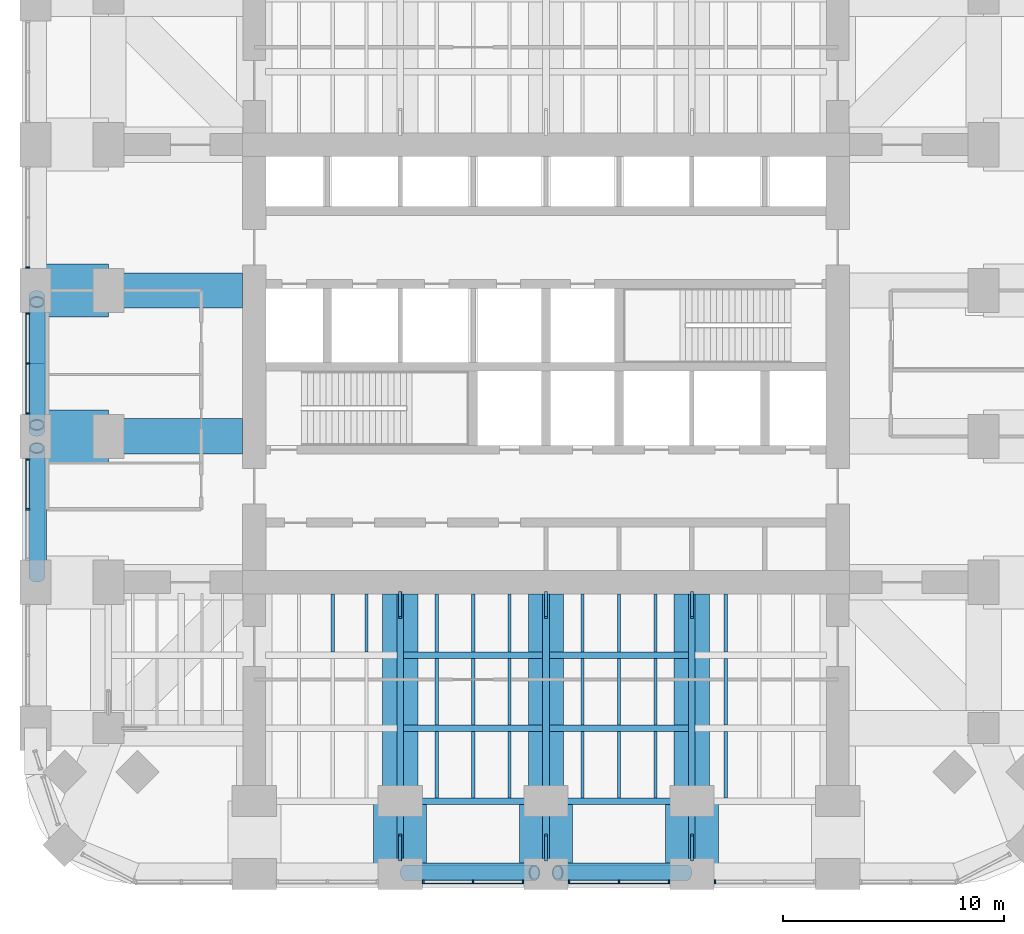
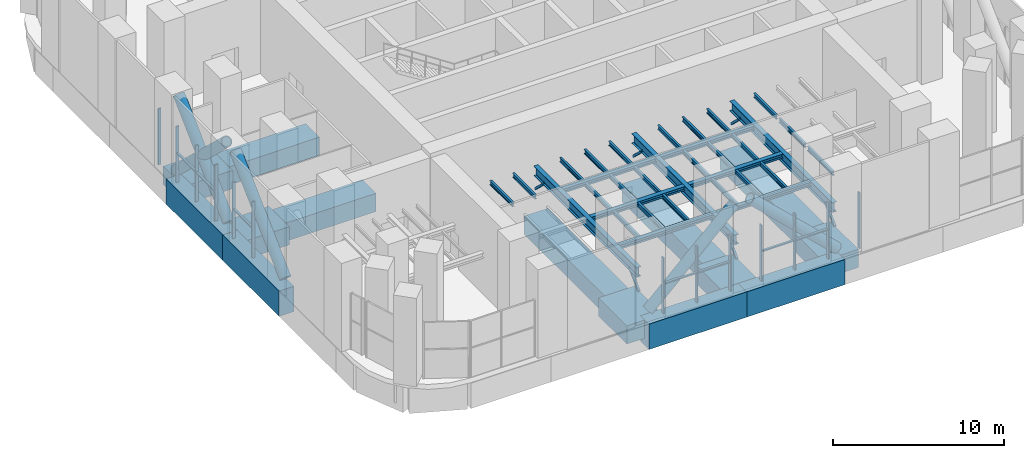
# One storey, part 3 of 16: 46 beams, 31 members, 6 elements without a shape of their own.
"""IFC4 building model written with IfcOpenShell, lengths in metres."""

from ifc_helpers import new_model, si_unit, direction, frame, origin, origin_2d, place, context, subcontext, project, spatial, rectangle, hollow_rectangle, hollow_circle, i_section, extrude, material, material_profile, profile_set, type_object, element, aggregate, save


model = new_model("IFC4")

# Units and contexts
model_context = context("Model", 3, precision=1e-05, world=origin(), true_north=direction((0.0, 1.0)))
body_context = subcontext(model_context, "Body", "Model", "MODEL_VIEW")
ifc_project = project(units=[si_unit("LENGTHUNIT", "METRE"), si_unit("AREAUNIT", "SQUARE_METRE"), si_unit("VOLUMEUNIT", "CUBIC_METRE"), si_unit("PLANEANGLEUNIT", "RADIAN"), si_unit("MASSUNIT", "GRAM", prefix="KILO")], contexts=[model_context])

# Site, building, storey
site_placement = place(None, origin())
site = spatial("IfcSite", under=ifc_project, at=site_placement, CompositionType="ELEMENT")
building_placement = place(site_placement, origin())
building = spatial("IfcBuilding", under=site, at=building_placement, Name="Cobogo Forest Laboratory Tower", CompositionType="ELEMENT")
storey_placement = place(building_placement, frame((0.0, 0.0, 149.39990234375)))
storey = spatial("IfcBuildingStorey", under=building, at=storey_placement, Name="L34", CompositionType="ELEMENT", Elevation=149.39990234375)

# Members
ifc_material_1 = material(Name="Steel S460NH", Category="steel")
ifc_material_profile_1 = material_profile(ifc_material_1, hollow_circle(Radius=0.35546875, WallThickness=0.06005859375, at=origin_2d()), Name="CHS 711x60")
ifc_profile_set_1 = profile_set([ifc_material_profile_1], Name="Steel S460NH")
member_type_1 = type_object("IfcMemberType", Name="Belt truss diagonal CHS 711x60", PredefinedType="BRACE", material=ifc_profile_set_1)
for number, where, z_axis, x_axis, name in (
    (1, (20.050048828125, 0.06005859375, 0.23876953125), (0.723349354665, 0.0, 0.69048223084), (0.0, 1.0, 0.0), "BT1 belt truss diagonal S02 L34"),
    (2, (32.75, 0.06005859375, 0.23876953125), (-0.723363796511, 0.0, 0.690467101242), (0.0, -1.0, 0.0), "BT1 belt truss diagonal S03 L34"),
    (3, (3.360107421875, 13.449951171875, 0.23876953125), (0.0, 0.723363796511, 0.690467101242), (-1.0, 0.0, 0.0), "BT1 belt truss diagonal W16 L34"),
    (4, (3.360107421875, 20.050048828125, 0.23876953125), (0.0, 0.723349354665, 0.69048223084), (-1.0, 0.0, 0.0), "BT1 belt truss diagonal W17 L34"),
    (5, (3.360107421875, 26.14990234375, 0.23876953125), (0.0, -0.723349354665, 0.69048223084), (1.0, 0.0, 0.0), "BT1 belt truss diagonal W18 L34"),
):
    element("IfcMember", number, at=place(storey_placement, frame(where, z_axis=z_axis, x_axis=x_axis)), inside=storey, type_object=member_type_1, Name=name, PredefinedType="BRACE", context=body_context, shape_type="SweptSolid", body=[
        extrude(hollow_circle(Radius=0.35546875, WallThickness=0.06005859375, at=origin_2d()), origin(), (0.0, 0.0, 1.0), 8.0595703125),
    ])

# Curtain wall, members
ifc_material_2 = material(Name="Aluminium curtain wall", Category="aluminium")
curtain_wall_type = type_object("IfcCurtainWallType", Name="CW-P louvred curtain wall, plant floors", PredefinedType="USERDEFINED", material=ifc_material_2)
curtain_wall_1_placement = place(storey_placement, origin())
curtain_wall_1 = element("IfcCurtainWall", 6, at=curtain_wall_1_placement, inside=storey, type_object=curtain_wall_type, Name="Curtain wall 03 L34", ObjectType="LOUVRED CURTAIN WALL", PredefinedType="USERDEFINED")
ifc_material_3 = material(Name="Aluminium mullion", Category="aluminium")
ifc_material_profile_2 = material_profile(ifc_material_3, rectangle(XDim=0.080078125, YDim=0.199951171875, at=origin_2d()), Name="AL 80x200")
ifc_profile_set_2 = profile_set([ifc_material_profile_2], Name="Aluminium mullion")
member_type_2 = type_object("IfcMemberType", Name="MU-3 aluminium louvre mullion 80x200", PredefinedType="MULLION", material=ifc_profile_set_2)
member_1_placement = place(storey_placement, frame((20.840087890625, -0.35009765625, 0.0), z_axis=(0.0, 0.0, 1.0), x_axis=(1.0, 0.0, 0.0)))
member_1 = element("IfcMember", 7, at=member_1_placement, type_object=member_type_2, Name="CW-P mullion 1", PredefinedType="MULLION", context=body_context, shape_type="SweptSolid", body=[
    extrude(rectangle(XDim=0.080078125, YDim=0.199951171875, at=origin_2d()), origin(), (0.0, 0.0, 1.0), 4.0),
])
member_2_placement = place(storey_placement, frame((23.10009765625, -0.35009765625, 0.0), z_axis=(0.0, 0.0, 1.0), x_axis=(1.0, 0.0, 0.0)))
member_2 = element("IfcMember", 8, at=member_2_placement, type_object=member_type_2, Name="CW-P mullion 2", PredefinedType="MULLION", context=body_context, shape_type="SweptSolid", body=[
    extrude(rectangle(XDim=0.080078125, YDim=0.199951171875, at=origin_2d()), origin(), (0.0, 0.0, 1.0), 4.0),
])
member_3_placement = place(storey_placement, frame((25.360107421875, -0.35009765625, 0.0), z_axis=(0.0, 0.0, 1.0), x_axis=(1.0, 0.0, 0.0)))
member_3 = element("IfcMember", 9, at=member_3_placement, type_object=member_type_2, Name="CW-P mullion 3", PredefinedType="MULLION", context=body_context, shape_type="SweptSolid", body=[
    extrude(rectangle(XDim=0.080078125, YDim=0.199951171875, at=origin_2d()), origin(), (0.0, 0.0, 1.0), 4.0),
])

curtain_wall_2_placement = place(storey_placement, origin())
curtain_wall_2 = element("IfcCurtainWall", 10, at=curtain_wall_2_placement, inside=storey, type_object=curtain_wall_type, Name="Curtain wall 04 L34", ObjectType="LOUVRED CURTAIN WALL", PredefinedType="USERDEFINED")
member_4_placement = place(storey_placement, frame((27.43994140625, -0.35009765625, 0.0), z_axis=(0.0, 0.0, 1.0), x_axis=(1.0, 0.0, 0.0)))
member_4 = element("IfcMember", 11, at=member_4_placement, type_object=member_type_2, Name="CW-P mullion 1", PredefinedType="MULLION", context=body_context, shape_type="SweptSolid", body=[
    extrude(rectangle(XDim=0.080078125, YDim=0.199951171875, at=origin_2d()), origin(), (0.0, 0.0, 1.0), 4.0),
])
member_5_placement = place(storey_placement, frame((29.699951171875, -0.35009765625, 0.0), z_axis=(0.0, 0.0, 1.0), x_axis=(1.0, 0.0, 0.0)))
member_5 = element("IfcMember", 12, at=member_5_placement, type_object=member_type_2, Name="CW-P mullion 2", PredefinedType="MULLION", context=body_context, shape_type="SweptSolid", body=[
    extrude(rectangle(XDim=0.080078125, YDim=0.199951171875, at=origin_2d()), origin(), (0.0, 0.0, 1.0), 4.0),
])
member_6_placement = place(storey_placement, frame((31.9599609375, -0.35009765625, 0.0), z_axis=(0.0, 0.0, 1.0), x_axis=(1.0, 0.0, 0.0)))
member_6 = element("IfcMember", 13, at=member_6_placement, type_object=member_type_2, Name="CW-P mullion 3", PredefinedType="MULLION", context=body_context, shape_type="SweptSolid", body=[
    extrude(rectangle(XDim=0.080078125, YDim=0.199951171875, at=origin_2d()), origin(), (0.0, 0.0, 1.0), 4.0),
])

# Curtain wall, member
curtain_wall_3_placement = place(storey_placement, origin())
curtain_wall_3 = element("IfcCurtainWall", 14, at=curtain_wall_3_placement, inside=storey, type_object=curtain_wall_type, Name="Curtain wall 05 L34", ObjectType="LOUVRED CURTAIN WALL", PredefinedType="USERDEFINED")
member_7_placement = place(storey_placement, frame((34.0400390625, -0.35009765625, 0.0), z_axis=(0.0, 0.0, 1.0), x_axis=(1.0, 0.0, 0.0)))
member_7 = element("IfcMember", 15, at=member_7_placement, type_object=member_type_2, Name="CW-P mullion 1", PredefinedType="MULLION", context=body_context, shape_type="SweptSolid", body=[
    extrude(rectangle(XDim=0.080078125, YDim=0.199951171875, at=origin_2d()), origin(), (0.0, 0.0, 1.0), 4.0),
])
aggregate(curtain_wall_3, [member_7])

curtain_wall_4_placement = place(storey_placement, origin())
curtain_wall_4 = element("IfcCurtainWall", 16, at=curtain_wall_4_placement, inside=storey, type_object=curtain_wall_type, Name="Curtain wall 28 L34", ObjectType="LOUVRED CURTAIN WALL", PredefinedType="USERDEFINED")
member_8_placement = place(storey_placement, frame((2.949951171875, 27.43994140625, 0.0), z_axis=(0.0, 0.0, 1.0), x_axis=(0.0, -1.0, 0.0)))
member_8 = element("IfcMember", 17, at=member_8_placement, type_object=member_type_2, Name="CW-P mullion 3", PredefinedType="MULLION", context=body_context, shape_type="SweptSolid", body=[
    extrude(rectangle(XDim=0.080078125, YDim=0.199951171875, at=origin_2d()), origin(), (0.0, 0.0, 1.0), 4.0),
])
aggregate(curtain_wall_4, [member_8])

# Curtain wall, members
curtain_wall_5_placement = place(storey_placement, origin())
curtain_wall_5 = element("IfcCurtainWall", 18, at=curtain_wall_5_placement, inside=storey, type_object=curtain_wall_type, Name="Curtain wall 29 L34", ObjectType="LOUVRED CURTAIN WALL", PredefinedType="USERDEFINED")
member_9_placement = place(storey_placement, frame((2.949951171875, 25.360107421875, 0.0), z_axis=(0.0, 0.0, 1.0), x_axis=(0.0, -1.0, 0.0)))
member_9 = element("IfcMember", 19, at=member_9_placement, type_object=member_type_2, Name="CW-P mullion 1", PredefinedType="MULLION", context=body_context, shape_type="SweptSolid", body=[
    extrude(rectangle(XDim=0.080078125, YDim=0.199951171875, at=origin_2d()), origin(), (0.0, 0.0, 1.0), 4.0),
])
member_10_placement = place(storey_placement, frame((2.949951171875, 23.10009765625, 0.0), z_axis=(0.0, 0.0, 1.0), x_axis=(0.0, -1.0, 0.0)))
member_10 = element("IfcMember", 20, at=member_10_placement, type_object=member_type_2, Name="CW-P mullion 2", PredefinedType="MULLION", context=body_context, shape_type="SweptSolid", body=[
    extrude(rectangle(XDim=0.080078125, YDim=0.199951171875, at=origin_2d()), origin(), (0.0, 0.0, 1.0), 4.0),
])
member_11_placement = place(storey_placement, frame((2.949951171875, 20.840087890625, 0.0), z_axis=(0.0, 0.0, 1.0), x_axis=(0.0, -1.0, 0.0)))
member_11 = element("IfcMember", 21, at=member_11_placement, type_object=member_type_2, Name="CW-P mullion 3", PredefinedType="MULLION", context=body_context, shape_type="SweptSolid", body=[
    extrude(rectangle(XDim=0.080078125, YDim=0.199951171875, at=origin_2d()), origin(), (0.0, 0.0, 1.0), 4.0),
])

curtain_wall_6_placement = place(storey_placement, origin())
curtain_wall_6 = element("IfcCurtainWall", 22, at=curtain_wall_6_placement, inside=storey, type_object=curtain_wall_type, Name="Curtain wall 30 L34", ObjectType="LOUVRED CURTAIN WALL", PredefinedType="USERDEFINED")
member_12_placement = place(storey_placement, frame((2.949951171875, 18.760009765625, 0.0), z_axis=(0.0, 0.0, 1.0), x_axis=(0.0, -1.0, 0.0)))
member_12 = element("IfcMember", 23, at=member_12_placement, type_object=member_type_2, Name="CW-P mullion 1", PredefinedType="MULLION", context=body_context, shape_type="SweptSolid", body=[
    extrude(rectangle(XDim=0.080078125, YDim=0.199951171875, at=origin_2d()), origin(), (0.0, 0.0, 1.0), 4.0),
])
member_13_placement = place(storey_placement, frame((2.949951171875, 16.5, 0.0), z_axis=(0.0, 0.0, 1.0), x_axis=(0.0, -1.0, 0.0)))
member_13 = element("IfcMember", 24, at=member_13_placement, type_object=member_type_2, Name="CW-P mullion 2", PredefinedType="MULLION", context=body_context, shape_type="SweptSolid", body=[
    extrude(rectangle(XDim=0.080078125, YDim=0.199951171875, at=origin_2d()), origin(), (0.0, 0.0, 1.0), 4.0),
])

# Beams
ifc_material_4 = material(Name="Concrete HA-40 (C40/50)", Category="concrete")
ifc_material_profile_3 = material_profile(ifc_material_4, rectangle(XDim=1.60009765625, YDim=1.300048828125, at=origin_2d()), Name="RC 1600x1300")
ifc_profile_set_3 = profile_set([ifc_material_profile_3], Name="Concrete HA-40 (C40/50)")
beam_type_1 = type_object("IfcBeamType", Name="Plant and roof garden wide beam 1600x1300", PredefinedType="BEAM", material=ifc_profile_set_3)
for number, where, z_axis, x_axis, name in (
    (25, (19.800048828125, 12.675048828125, -1.0), (0.0, -1.0, 0.0), (1.0, 0.0, 0.0), "RB4 R-4-S L34"),
    (26, (26.39990234375, 12.675048828125, -1.0), (0.0, -1.0, 0.0), (1.0, 0.0, 0.0), "RB4 R-5-S L34"),
    (27, (33.0, 12.675048828125, -1.0), (0.0, -1.0, 0.0), (1.0, 0.0, 0.0), "RB4 R-6-S L34"),
):
    element("IfcBeam", number, at=place(storey_placement, frame(where, z_axis=z_axis, x_axis=x_axis)), inside=storey, type_object=beam_type_1, Name=name, PredefinedType="BEAM", context=body_context, shape_type="SweptSolid", body=[
        extrude(rectangle(XDim=1.60009765625, YDim=1.300048828125, at=origin_2d()), origin(), (0.0, 0.0, 1.0), 9.375),
    ])
for number, where, z_axis, x_axis, name in (
    (28, (12.675048828125, 19.800048828125, -1.0), (-1.0, 0.0, 0.0), (0.0, -1.0, 0.0), "RB4 R-D-W L34"),
    (29, (12.675048828125, 26.39990234375, -1.0), (-1.0, 0.0, 0.0), (0.0, -1.0, 0.0), "RB4 R-E-W L34"),
):
    element("IfcBeam", number, at=place(storey_placement, frame(where, z_axis=z_axis, x_axis=x_axis)), inside=storey, type_object=beam_type_1, Name=name, PredefinedType="BEAM", context=body_context, shape_type="SweptSolid", body=[
        extrude(rectangle(XDim=1.60009765625, YDim=1.300048828125, at=origin_2d()), origin(), (0.0, 0.0, 1.0), 6.074951171875),
    ])
ifc_material_5 = material(Name="Concrete HA-50 (C50/60)", Category="concrete")
ifc_material_profile_4 = material_profile(ifc_material_5, rectangle(XDim=2.39990234375, YDim=1.300048828125, at=origin_2d()), Name="RC 2400x1300")
ifc_profile_set_4 = profile_set([ifc_material_profile_4], Name="Concrete HA-50 (C50/60)")
beam_type_2 = type_object("IfcBeamType", Name="Plant floor end-bay beam 2400x1300", PredefinedType="BEAM", material=ifc_profile_set_4)
for number, where, z_axis, x_axis, name in (
    (30, (19.800048828125, 0.0, -1.0), (0.0, 1.0, 0.0), (-1.0, 0.0, 0.0), "RB6 R-4-S-X L34"),
    (31, (26.39990234375, 0.0, -1.0), (0.0, 1.0, 0.0), (-1.0, 0.0, 0.0), "RB6 R-5-S-X L34"),
    (32, (33.0, 0.0, -1.0), (0.0, 1.0, 0.0), (-1.0, 0.0, 0.0), "RB6 R-6-S-X L34"),
    (33, (3.300048828125, 19.800048828125, -1.0), (1.0, 0.0, 0.0), (0.0, 1.0, 0.0), "RB6 R-D-W-X L34"),
    (34, (3.300048828125, 26.39990234375, -1.0), (1.0, 0.0, 0.0), (0.0, 1.0, 0.0), "RB6 R-E-W-X L34"),
):
    element("IfcBeam", number, at=place(storey_placement, frame(where, z_axis=z_axis, x_axis=x_axis)), inside=storey, type_object=beam_type_2, Name=name, PredefinedType="BEAM", context=body_context, shape_type="SweptSolid", body=[
        extrude(rectangle(XDim=2.39990234375, YDim=1.300048828125, at=origin_2d()), origin(), (0.0, 0.0, 1.0), 3.300048828125),
    ])
ifc_material_profile_5 = material_profile(ifc_material_4, rectangle(XDim=1.0, YDim=1.800048828125, at=origin_2d()), Name="RC 1000x1800")
ifc_profile_set_5 = profile_set([ifc_material_profile_5], Name="Concrete HA-40 (C40/50)")
beam_type_3 = type_object("IfcBeamType", Name="Plant floor perimeter girder 1000x1800", PredefinedType="BEAM", material=ifc_profile_set_5)
beam_1_placement = place(storey_placement, frame((19.800048828125, 0.0, -1.25), z_axis=(1.0, 0.0, 0.0), x_axis=(0.0, 1.0, 0.0)))
element("IfcBeam", 35, at=beam_1_placement, inside=storey, type_object=beam_type_3, Name="TG1 E-S2 L34", PredefinedType="BEAM", context=body_context, shape_type="SweptSolid", body=[
    extrude(rectangle(XDim=1.0, YDim=1.800048828125, at=origin_2d()), origin(), (0.0, 0.0, 1.0), 6.599853515625),
])
for number, where, z_axis, x_axis, name in (
    (36, (26.39990234375, 0.0, -1.25), (1.0, 0.0, 0.0), (0.0, 1.0, 0.0), "TG1 E-S3 L34"),
    (37, (3.300048828125, 13.199951171875, -1.25), (0.0, 1.0, 0.0), (-1.0, 0.0, 0.0), "TG1 E-W2 L34"),
):
    element("IfcBeam", number, at=place(storey_placement, frame(where, z_axis=z_axis, x_axis=x_axis)), inside=storey, type_object=beam_type_3, Name=name, PredefinedType="BEAM", context=body_context, shape_type="SweptSolid", body=[
        extrude(rectangle(XDim=1.0, YDim=1.800048828125, at=origin_2d()), origin(), (0.0, 0.0, 1.0), 6.60009765625),
    ])
beam_2_placement = place(storey_placement, frame((3.300048828125, 19.800048828125, -1.25), z_axis=(0.0, 1.0, 0.0), x_axis=(-1.0, 0.0, 0.0)))
element("IfcBeam", 38, at=beam_2_placement, inside=storey, type_object=beam_type_3, Name="TG1 E-W3 L34", PredefinedType="BEAM", context=body_context, shape_type="SweptSolid", body=[
    extrude(rectangle(XDim=1.0, YDim=1.800048828125, at=origin_2d()), origin(), (0.0, 0.0, 1.0), 6.599853515625),
])

# Members
ifc_material_6 = material(Name="Steel S355", Category="steel")
ifc_material_profile_6 = material_profile(ifc_material_6, hollow_rectangle(XDim=0.14990234375, YDim=0.14990234375, WallThickness=0.008056640625, InnerFilletRadius=0.008056640625, OuterFilletRadius=0.011962890625, at=origin_2d()), Name="SHS 150x8")
ifc_profile_set_6 = profile_set([ifc_material_profile_6], Name="Steel S355")
member_type_3 = type_object("IfcMemberType", Name="Plant knee brace SHS 150x8", PredefinedType="BRACE", material=ifc_profile_set_6)
for number, where, z_axis, x_axis, name in (
    (39, (19.800048828125, 0.64697265625, 1.300048828125), (0.0, 0.725097922522, 0.688645774513), (-1.0, 0.0, 0.0), "PX2 AHU-S knee brace 4-1 L34"),
    (40, (19.800048828125, 12.72802734375, 1.300048828125), (0.0, -0.725097922522, 0.688645774513), (1.0, 0.0, 0.0), "PX2 AHU-S knee brace 4-2 L34"),
    (41, (26.39990234375, 0.64697265625, 1.300048828125), (0.0, 0.725097922522, 0.688645774513), (-1.0, 0.0, 0.0), "PX2 AHU-S knee brace 5-1 L34"),
    (42, (26.39990234375, 12.72802734375, 1.300048828125), (0.0, -0.725097922522, 0.688645774513), (1.0, 0.0, 0.0), "PX2 AHU-S knee brace 5-2 L34"),
    (43, (33.0, 0.64697265625, 1.300048828125), (0.0, 0.725097922522, 0.688645774513), (-1.0, 0.0, 0.0), "PX2 AHU-S knee brace 6-1 L34"),
    (44, (33.0, 12.72802734375, 1.300048828125), (0.0, -0.725097922522, 0.688645774513), (1.0, 0.0, 0.0), "PX2 AHU-S knee brace 6-2 L34"),
):
    element("IfcMember", number, at=place(storey_placement, frame(where, z_axis=z_axis, x_axis=x_axis)), inside=storey, type_object=member_type_3, Name=name, PredefinedType="BRACE", context=body_context, shape_type="SweptSolid", body=[
        extrude(hollow_rectangle(XDim=0.14990234375, YDim=0.14990234375, WallThickness=0.008056640625, InnerFilletRadius=0.008056640625, OuterFilletRadius=0.011962890625, at=origin_2d()), origin(), (0.0, 0.0, 1.0), 1.547119140625),
    ])

# Beams
ifc_material_profile_7 = material_profile(ifc_material_6, i_section(OverallWidth=0.300048828125, OverallDepth=0.300048828125, WebThickness=0.010986328125, FlangeThickness=0.01904296875, FilletRadius=0.027099609375, at=origin_2d()), Name="HEB 300")
ifc_profile_set_7 = profile_set([ifc_material_profile_7], Name="Steel S355")
beam_type_4 = type_object("IfcBeamType", Name="Plant platform beam HEB 300", PredefinedType="BEAM", material=ifc_profile_set_7)
for number, where, z_axis, x_axis, name in (
    (45, (19.949951171875, 3.300048828125, 2.85009765625), (1.0, 0.0, 0.0), (0.0, 1.0, 0.0), "PB2 AHU-S platform beam 2 at 3300 L34"),
    (46, (26.550048828125, 3.300048828125, 2.85009765625), (1.0, 0.0, 0.0), (0.0, 1.0, 0.0), "PB2 AHU-S platform beam 3 at 3300 L34"),
    (47, (19.949951171875, 6.60009765625, 2.85009765625), (1.0, 0.0, 0.0), (0.0, 1.0, 0.0), "PB2 AHU-S platform beam 2 at 6600 L34"),
    (48, (26.550048828125, 6.60009765625, 2.85009765625), (1.0, 0.0, 0.0), (0.0, 1.0, 0.0), "PB2 AHU-S platform beam 3 at 6600 L34"),
    (49, (19.949951171875, 9.89990234375, 2.85009765625), (1.0, 0.0, 0.0), (0.0, 1.0, 0.0), "PB2 AHU-S platform beam 2 at 9900 L34"),
    (50, (26.550048828125, 9.89990234375, 2.85009765625), (1.0, 0.0, 0.0), (0.0, 1.0, 0.0), "PB2 AHU-S platform beam 3 at 9900 L34"),
):
    element("IfcBeam", number, at=place(storey_placement, frame(where, z_axis=z_axis, x_axis=x_axis)), inside=storey, type_object=beam_type_4, Name=name, PredefinedType="BEAM", context=body_context, shape_type="SweptSolid", body=[
        extrude(i_section(OverallWidth=0.300048828125, OverallDepth=0.300048828125, WebThickness=0.010986328125, FlangeThickness=0.01904296875, FilletRadius=0.027099609375, at=origin_2d()), origin(), (0.0, 0.0, 1.0), 6.300048828125),
    ])
ifc_material_profile_8 = material_profile(ifc_material_6, i_section(OverallWidth=0.300048828125, OverallDepth=0.699951171875, WebThickness=0.01708984375, FlangeThickness=0.031982421875, FilletRadius=0.027099609375, at=origin_2d()), Name="HEB 700")
ifc_profile_set_8 = profile_set([ifc_material_profile_8], Name="Steel S355")
beam_type_5 = type_object("IfcBeamType", Name="Plant platform girder HEB 700", PredefinedType="BEAM", material=ifc_profile_set_8)
for number, where, z_axis, x_axis, name in (
    (51, (19.800048828125, 0.699951171875, 2.650146484375), (0.0, 1.0, 0.0), (-1.0, 0.0, 0.0), "PG1 AHU-S girder 4 L34"),
    (52, (26.39990234375, 0.699951171875, 2.650146484375), (0.0, 1.0, 0.0), (-1.0, 0.0, 0.0), "PG1 AHU-S girder 5 L34"),
    (53, (33.0, 0.699951171875, 2.650146484375), (0.0, 1.0, 0.0), (-1.0, 0.0, 0.0), "PG1 AHU-S girder 6 L34"),
):
    element("IfcBeam", number, at=place(storey_placement, frame(where, z_axis=z_axis, x_axis=x_axis)), inside=storey, type_object=beam_type_5, Name=name, PredefinedType="BEAM", context=body_context, shape_type="SweptSolid", body=[
        extrude(i_section(OverallWidth=0.300048828125, OverallDepth=0.699951171875, WebThickness=0.01708984375, FlangeThickness=0.031982421875, FilletRadius=0.027099609375, at=origin_2d()), origin(), (0.0, 0.0, 1.0), 11.97509765625),
    ])
ifc_material_profile_9 = material_profile(ifc_material_6, i_section(OverallWidth=0.14990234375, OverallDepth=0.300048828125, WebThickness=0.007080078125, FlangeThickness=0.0107421875, FilletRadius=0.014892578125, at=origin_2d()), Name="IPE 300")
ifc_profile_set_9 = profile_set([ifc_material_profile_9], Name="Steel S355")
beam_type_6 = type_object("IfcBeamType", Name="Plant platform joist IPE 300", PredefinedType="JOIST", material=ifc_profile_set_9)
for number, where, z_axis, x_axis, name in (
    (54, (16.75, 10.050048828125, 2.85009765625), (0.0, 1.0, 0.0), (-1.0, 0.0, 0.0), "PJ2 AHU-S joist 1.2 row 3 L34"),
    (55, (18.27490234375, 10.050048828125, 2.85009765625), (0.0, 1.0, 0.0), (-1.0, 0.0, 0.0), "PJ2 AHU-S joist 1.3 row 3 L34"),
):
    element("IfcBeam", number, at=place(storey_placement, frame(where, z_axis=z_axis, x_axis=x_axis)), inside=storey, type_object=beam_type_6, Name=name, PredefinedType="JOIST", context=body_context, shape_type="SweptSolid", body=[
        extrude(i_section(OverallWidth=0.14990234375, OverallDepth=0.300048828125, WebThickness=0.007080078125, FlangeThickness=0.0107421875, FilletRadius=0.014892578125, at=origin_2d()), origin(), (0.0, 0.0, 1.0), 2.625),
    ])
for number, where, z_axis, x_axis, name in (
    (56, (21.449951171875, 3.449951171875, 2.85009765625), (0.0, 1.0, 0.0), (-1.0, 0.0, 0.0), "PJ2 AHU-S joist 2.1 row 1 L34"),
    (57, (21.449951171875, 6.75, 2.85009765625), (0.0, 1.0, 0.0), (-1.0, 0.0, 0.0), "PJ2 AHU-S joist 2.1 row 2 L34"),
):
    element("IfcBeam", number, at=place(storey_placement, frame(where, z_axis=z_axis, x_axis=x_axis)), inside=storey, type_object=beam_type_6, Name=name, PredefinedType="JOIST", context=body_context, shape_type="SweptSolid", body=[
        extrude(i_section(OverallWidth=0.14990234375, OverallDepth=0.300048828125, WebThickness=0.007080078125, FlangeThickness=0.0107421875, FilletRadius=0.014892578125, at=origin_2d()), origin(), (0.0, 0.0, 1.0), 3.0),
    ])
beam_3_placement = place(storey_placement, frame((21.449951171875, 10.050048828125, 2.85009765625), z_axis=(0.0, 1.0, 0.0), x_axis=(-1.0, 0.0, 0.0)))
element("IfcBeam", 58, at=beam_3_placement, inside=storey, type_object=beam_type_6, Name="PJ2 AHU-S joist 2.1 row 3 L34", PredefinedType="JOIST", context=body_context, shape_type="SweptSolid", body=[
    extrude(i_section(OverallWidth=0.14990234375, OverallDepth=0.300048828125, WebThickness=0.007080078125, FlangeThickness=0.0107421875, FilletRadius=0.014892578125, at=origin_2d()), origin(), (0.0, 0.0, 1.0), 2.625),
])
for number, where, z_axis, x_axis, name in (
    (59, (23.10009765625, 3.449951171875, 2.85009765625), (0.0, 1.0, 0.0), (-1.0, 0.0, 0.0), "PJ2 AHU-S joist 2.2 row 1 L34"),
    (60, (23.10009765625, 6.75, 2.85009765625), (0.0, 1.0, 0.0), (-1.0, 0.0, 0.0), "PJ2 AHU-S joist 2.2 row 2 L34"),
):
    element("IfcBeam", number, at=place(storey_placement, frame(where, z_axis=z_axis, x_axis=x_axis)), inside=storey, type_object=beam_type_6, Name=name, PredefinedType="JOIST", context=body_context, shape_type="SweptSolid", body=[
        extrude(i_section(OverallWidth=0.14990234375, OverallDepth=0.300048828125, WebThickness=0.007080078125, FlangeThickness=0.0107421875, FilletRadius=0.014892578125, at=origin_2d()), origin(), (0.0, 0.0, 1.0), 3.0),
    ])
beam_4_placement = place(storey_placement, frame((23.10009765625, 10.050048828125, 2.85009765625), z_axis=(0.0, 1.0, 0.0), x_axis=(-1.0, 0.0, 0.0)))
element("IfcBeam", 61, at=beam_4_placement, inside=storey, type_object=beam_type_6, Name="PJ2 AHU-S joist 2.2 row 3 L34", PredefinedType="JOIST", context=body_context, shape_type="SweptSolid", body=[
    extrude(i_section(OverallWidth=0.14990234375, OverallDepth=0.300048828125, WebThickness=0.007080078125, FlangeThickness=0.0107421875, FilletRadius=0.014892578125, at=origin_2d()), origin(), (0.0, 0.0, 1.0), 2.625),
])
for number, where, z_axis, x_axis, name in (
    (62, (24.75, 3.449951171875, 2.85009765625), (0.0, 1.0, 0.0), (-1.0, 0.0, 0.0), "PJ2 AHU-S joist 2.3 row 1 L34"),
    (63, (24.75, 6.75, 2.85009765625), (0.0, 1.0, 0.0), (-1.0, 0.0, 0.0), "PJ2 AHU-S joist 2.3 row 2 L34"),
):
    element("IfcBeam", number, at=place(storey_placement, frame(where, z_axis=z_axis, x_axis=x_axis)), inside=storey, type_object=beam_type_6, Name=name, PredefinedType="JOIST", context=body_context, shape_type="SweptSolid", body=[
        extrude(i_section(OverallWidth=0.14990234375, OverallDepth=0.300048828125, WebThickness=0.007080078125, FlangeThickness=0.0107421875, FilletRadius=0.014892578125, at=origin_2d()), origin(), (0.0, 0.0, 1.0), 3.0),
    ])
beam_5_placement = place(storey_placement, frame((24.75, 10.050048828125, 2.85009765625), z_axis=(0.0, 1.0, 0.0), x_axis=(-1.0, 0.0, 0.0)))
element("IfcBeam", 64, at=beam_5_placement, inside=storey, type_object=beam_type_6, Name="PJ2 AHU-S joist 2.3 row 3 L34", PredefinedType="JOIST", context=body_context, shape_type="SweptSolid", body=[
    extrude(i_section(OverallWidth=0.14990234375, OverallDepth=0.300048828125, WebThickness=0.007080078125, FlangeThickness=0.0107421875, FilletRadius=0.014892578125, at=origin_2d()), origin(), (0.0, 0.0, 1.0), 2.625),
])
for number, where, z_axis, x_axis, name in (
    (65, (28.050048828125, 3.449951171875, 2.85009765625), (0.0, 1.0, 0.0), (-1.0, 0.0, 0.0), "PJ2 AHU-S joist 3.1 row 1 L34"),
    (66, (28.050048828125, 6.75, 2.85009765625), (0.0, 1.0, 0.0), (-1.0, 0.0, 0.0), "PJ2 AHU-S joist 3.1 row 2 L34"),
):
    element("IfcBeam", number, at=place(storey_placement, frame(where, z_axis=z_axis, x_axis=x_axis)), inside=storey, type_object=beam_type_6, Name=name, PredefinedType="JOIST", context=body_context, shape_type="SweptSolid", body=[
        extrude(i_section(OverallWidth=0.14990234375, OverallDepth=0.300048828125, WebThickness=0.007080078125, FlangeThickness=0.0107421875, FilletRadius=0.014892578125, at=origin_2d()), origin(), (0.0, 0.0, 1.0), 3.0),
    ])
beam_6_placement = place(storey_placement, frame((28.050048828125, 10.050048828125, 2.85009765625), z_axis=(0.0, 1.0, 0.0), x_axis=(-1.0, 0.0, 0.0)))
element("IfcBeam", 67, at=beam_6_placement, inside=storey, type_object=beam_type_6, Name="PJ2 AHU-S joist 3.1 row 3 L34", PredefinedType="JOIST", context=body_context, shape_type="SweptSolid", body=[
    extrude(i_section(OverallWidth=0.14990234375, OverallDepth=0.300048828125, WebThickness=0.007080078125, FlangeThickness=0.0107421875, FilletRadius=0.014892578125, at=origin_2d()), origin(), (0.0, 0.0, 1.0), 2.625),
])
for number, where, z_axis, x_axis, name in (
    (68, (29.699951171875, 3.449951171875, 2.85009765625), (0.0, 1.0, 0.0), (-1.0, 0.0, 0.0), "PJ2 AHU-S joist 3.2 row 1 L34"),
    (69, (29.699951171875, 6.75, 2.85009765625), (0.0, 1.0, 0.0), (-1.0, 0.0, 0.0), "PJ2 AHU-S joist 3.2 row 2 L34"),
):
    element("IfcBeam", number, at=place(storey_placement, frame(where, z_axis=z_axis, x_axis=x_axis)), inside=storey, type_object=beam_type_6, Name=name, PredefinedType="JOIST", context=body_context, shape_type="SweptSolid", body=[
        extrude(i_section(OverallWidth=0.14990234375, OverallDepth=0.300048828125, WebThickness=0.007080078125, FlangeThickness=0.0107421875, FilletRadius=0.014892578125, at=origin_2d()), origin(), (0.0, 0.0, 1.0), 3.0),
    ])
beam_7_placement = place(storey_placement, frame((29.699951171875, 10.050048828125, 2.85009765625), z_axis=(0.0, 1.0, 0.0), x_axis=(-1.0, 0.0, 0.0)))
element("IfcBeam", 70, at=beam_7_placement, inside=storey, type_object=beam_type_6, Name="PJ2 AHU-S joist 3.2 row 3 L34", PredefinedType="JOIST", context=body_context, shape_type="SweptSolid", body=[
    extrude(i_section(OverallWidth=0.14990234375, OverallDepth=0.300048828125, WebThickness=0.007080078125, FlangeThickness=0.0107421875, FilletRadius=0.014892578125, at=origin_2d()), origin(), (0.0, 0.0, 1.0), 2.625),
])
for number, where, z_axis, x_axis, name in (
    (71, (31.35009765625, 3.449951171875, 2.85009765625), (0.0, 1.0, 0.0), (-1.0, 0.0, 0.0), "PJ2 AHU-S joist 3.3 row 1 L34"),
    (72, (31.35009765625, 6.75, 2.85009765625), (0.0, 1.0, 0.0), (-1.0, 0.0, 0.0), "PJ2 AHU-S joist 3.3 row 2 L34"),
):
    element("IfcBeam", number, at=place(storey_placement, frame(where, z_axis=z_axis, x_axis=x_axis)), inside=storey, type_object=beam_type_6, Name=name, PredefinedType="JOIST", context=body_context, shape_type="SweptSolid", body=[
        extrude(i_section(OverallWidth=0.14990234375, OverallDepth=0.300048828125, WebThickness=0.007080078125, FlangeThickness=0.0107421875, FilletRadius=0.014892578125, at=origin_2d()), origin(), (0.0, 0.0, 1.0), 3.0),
    ])
beam_8_placement = place(storey_placement, frame((31.35009765625, 10.050048828125, 2.85009765625), z_axis=(0.0, 1.0, 0.0), x_axis=(-1.0, 0.0, 0.0)))
element("IfcBeam", 73, at=beam_8_placement, inside=storey, type_object=beam_type_6, Name="PJ2 AHU-S joist 3.3 row 3 L34", PredefinedType="JOIST", context=body_context, shape_type="SweptSolid", body=[
    extrude(i_section(OverallWidth=0.14990234375, OverallDepth=0.300048828125, WebThickness=0.007080078125, FlangeThickness=0.0107421875, FilletRadius=0.014892578125, at=origin_2d()), origin(), (0.0, 0.0, 1.0), 2.625),
])
for number, where, z_axis, x_axis, name in (
    (74, (34.52490234375, 3.449951171875, 2.85009765625), (0.0, 1.0, 0.0), (-1.0, 0.0, 0.0), "PJ2 AHU-S joist 4.1 row 1 L34"),
    (75, (34.52490234375, 6.75, 2.85009765625), (0.0, 1.0, 0.0), (-1.0, 0.0, 0.0), "PJ2 AHU-S joist 4.1 row 2 L34"),
):
    element("IfcBeam", number, at=place(storey_placement, frame(where, z_axis=z_axis, x_axis=x_axis)), inside=storey, type_object=beam_type_6, Name=name, PredefinedType="JOIST", context=body_context, shape_type="SweptSolid", body=[
        extrude(i_section(OverallWidth=0.14990234375, OverallDepth=0.300048828125, WebThickness=0.007080078125, FlangeThickness=0.0107421875, FilletRadius=0.014892578125, at=origin_2d()), origin(), (0.0, 0.0, 1.0), 3.0),
    ])
beam_9_placement = place(storey_placement, frame((34.52490234375, 10.050048828125, 2.85009765625), z_axis=(0.0, 1.0, 0.0), x_axis=(-1.0, 0.0, 0.0)))
element("IfcBeam", 76, at=beam_9_placement, inside=storey, type_object=beam_type_6, Name="PJ2 AHU-S joist 4.1 row 3 L34", PredefinedType="JOIST", context=body_context, shape_type="SweptSolid", body=[
    extrude(i_section(OverallWidth=0.14990234375, OverallDepth=0.300048828125, WebThickness=0.007080078125, FlangeThickness=0.0107421875, FilletRadius=0.014892578125, at=origin_2d()), origin(), (0.0, 0.0, 1.0), 2.625),
])

# Member
ifc_material_7 = material(Name="Aluminium transom", Category="aluminium")
ifc_material_profile_10 = material_profile(ifc_material_7, rectangle(XDim=0.14990234375, YDim=0.080078125, at=origin_2d()), Name="AL 80x150")
ifc_profile_set_10 = profile_set([ifc_material_profile_10], Name="Aluminium transom")
member_type_4 = type_object("IfcMemberType", Name="TR-2 aluminium louvre transom 80x150", PredefinedType="USERDEFINED", material=ifc_profile_set_10)
member_14_placement = place(storey_placement, frame((20.8798828125, -0.35009765625, 2.10009765625), z_axis=(1.0, 0.0, 0.0), x_axis=(0.0, 1.0, 0.0)))
member_14 = element("IfcMember", 77, at=member_14_placement, type_object=member_type_4, Name="CW-P transom 1.1", ObjectType="TRANSOM", PredefinedType="USERDEFINED", context=body_context, shape_type="SweptSolid", body=[
    extrude(rectangle(XDim=0.14990234375, YDim=0.080078125, at=origin_2d()), origin(), (0.0, 0.0, 1.0), 2.18017578125),
])

member_15_placement = place(storey_placement, frame((23.139892578125, -0.35009765625, 2.10009765625), z_axis=(1.0, 0.0, 0.0), x_axis=(0.0, 1.0, 0.0)))
member_15 = element("IfcMember", 78, at=member_15_placement, type_object=member_type_4, Name="CW-P transom 2.1", ObjectType="TRANSOM", PredefinedType="USERDEFINED", context=body_context, shape_type="SweptSolid", body=[
    extrude(rectangle(XDim=0.14990234375, YDim=0.080078125, at=origin_2d()), origin(), (0.0, 0.0, 1.0), 2.18017578125),
])

aggregate(curtain_wall_1, [member_1, member_2, member_3, member_14, member_15])

member_16_placement = place(storey_placement, frame((27.47998046875, -0.35009765625, 2.10009765625), z_axis=(1.0, 0.0, 0.0), x_axis=(0.0, 1.0, 0.0)))
member_16 = element("IfcMember", 79, at=member_16_placement, type_object=member_type_4, Name="CW-P transom 1.1", ObjectType="TRANSOM", PredefinedType="USERDEFINED", context=body_context, shape_type="SweptSolid", body=[
    extrude(rectangle(XDim=0.14990234375, YDim=0.080078125, at=origin_2d()), origin(), (0.0, 0.0, 1.0), 2.179931640625),
])

member_17_placement = place(storey_placement, frame((29.739990234375, -0.35009765625, 2.10009765625), z_axis=(1.0, 0.0, 0.0), x_axis=(0.0, 1.0, 0.0)))
member_17 = element("IfcMember", 80, at=member_17_placement, type_object=member_type_4, Name="CW-P transom 2.1", ObjectType="TRANSOM", PredefinedType="USERDEFINED", context=body_context, shape_type="SweptSolid", body=[
    extrude(rectangle(XDim=0.14990234375, YDim=0.080078125, at=origin_2d()), origin(), (0.0, 0.0, 1.0), 2.179931640625),
])

aggregate(curtain_wall_2, [member_4, member_5, member_6, member_16, member_17])

member_18_placement = place(storey_placement, frame((2.949951171875, 25.320068359375, 2.10009765625), z_axis=(0.0, -1.0, 0.0), x_axis=(1.0, 0.0, 0.0)))
member_18 = element("IfcMember", 81, at=member_18_placement, type_object=member_type_4, Name="CW-P transom 1.1", ObjectType="TRANSOM", PredefinedType="USERDEFINED", context=body_context, shape_type="SweptSolid", body=[
    extrude(rectangle(XDim=0.14990234375, YDim=0.080078125, at=origin_2d()), origin(), (0.0, 0.0, 1.0), 2.18017578125),
])

member_19_placement = place(storey_placement, frame((2.949951171875, 23.06005859375, 2.10009765625), z_axis=(0.0, -1.0, 0.0), x_axis=(1.0, 0.0, 0.0)))
member_19 = element("IfcMember", 82, at=member_19_placement, type_object=member_type_4, Name="CW-P transom 2.1", ObjectType="TRANSOM", PredefinedType="USERDEFINED", context=body_context, shape_type="SweptSolid", body=[
    extrude(rectangle(XDim=0.14990234375, YDim=0.080078125, at=origin_2d()), origin(), (0.0, 0.0, 1.0), 2.18017578125),
])

aggregate(curtain_wall_5, [member_9, member_10, member_11, member_18, member_19])

member_20_placement = place(storey_placement, frame((2.949951171875, 18.719970703125, 2.10009765625), z_axis=(0.0, -1.0, 0.0), x_axis=(1.0, 0.0, 0.0)))
member_20 = element("IfcMember", 83, at=member_20_placement, type_object=member_type_4, Name="CW-P transom 1.1", ObjectType="TRANSOM", PredefinedType="USERDEFINED", context=body_context, shape_type="SweptSolid", body=[
    extrude(rectangle(XDim=0.14990234375, YDim=0.080078125, at=origin_2d()), origin(), (0.0, 0.0, 1.0), 2.179931640625),
])

aggregate(curtain_wall_6, [member_12, member_13, member_20])

save(model, "model.ifc")
